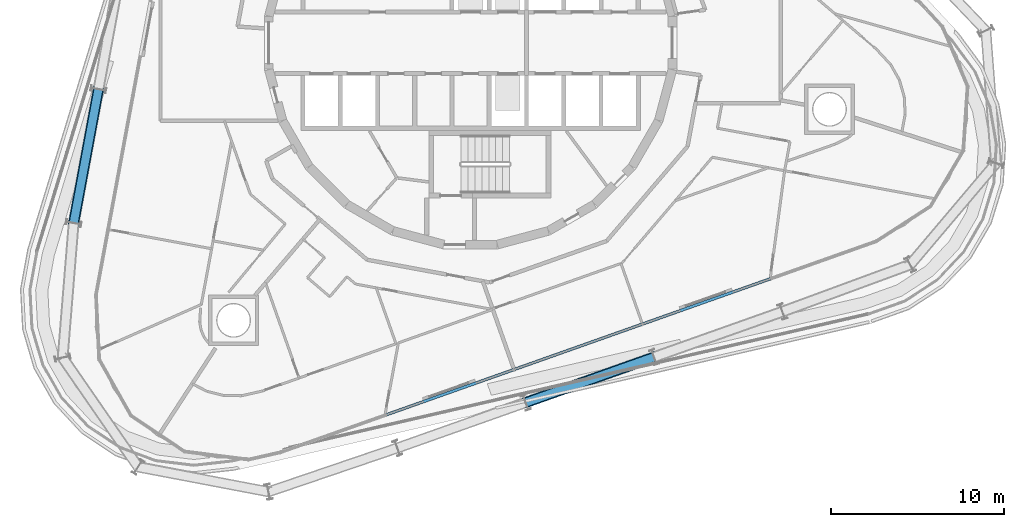
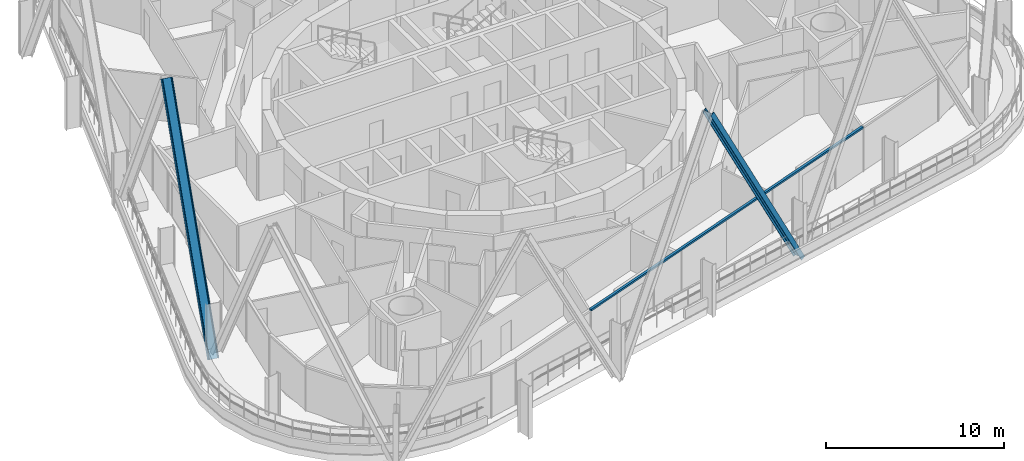
# One storey, part 3 of 25: 3 members, 1 element without a shape of its own.
"""IFC4 building model written with IfcOpenShell, lengths in metres."""

from ifc_helpers import new_model, si_unit, direction, frame, origin, origin_2d, place, context, subcontext, project, spatial, rectangle, i_section, extrude, material, layer, layer_set, material_profile, profile_set, type_object, element, aggregate, save


model = new_model("IFC4")

# Units and contexts
model_context = context("Model", 3, precision=1e-05, world=origin(), true_north=direction((0.0, 1.0)))
body_context = subcontext(model_context, "Body", "Model", "MODEL_VIEW")
ifc_project = project(units=[si_unit("LENGTHUNIT", "METRE"), si_unit("AREAUNIT", "SQUARE_METRE"), si_unit("VOLUMEUNIT", "CUBIC_METRE"), si_unit("PLANEANGLEUNIT", "RADIAN"), si_unit("MASSUNIT", "GRAM", prefix="KILO")], contexts=[model_context])

# Site, building, storey
site_placement = place(None, origin())
site = spatial("IfcSite", under=ifc_project, at=site_placement, CompositionType="ELEMENT")
building_placement = place(site_placement, origin())
building = spatial("IfcBuilding", under=site, at=building_placement, Name="Spindle Arch Residences", CompositionType="ELEMENT")
storey_placement = place(building_placement, frame((0.0, 0.0, 151.699951171875)))
storey = spatial("IfcBuildingStorey", under=building, at=storey_placement, Name="L37", CompositionType="ELEMENT", Elevation=151.699951171875)

# Curtain wall, member
ifc_material_1 = material(Name="Aluminium bronze unitised frame with tinted glass", Category="aluminium")
ifc_layer = layer(ifc_material_1, 0.159912109375)
ifc_layer_set = layer_set([ifc_layer], Name="CW-C typical residential unitised wall")
curtain_wall_type = type_object("IfcCurtainWallType", Name="CW-C typical residential unitised wall", PredefinedType="NOTDEFINED", material=ifc_layer_set)
curtain_wall_placement = place(storey_placement, origin())
curtain_wall = element("IfcCurtainWall", 1, at=curtain_wall_placement, inside=storey, type_object=curtain_wall_type, Name="CW-C L37 run 6", PredefinedType="NOTDEFINED")
ifc_material_2 = material(Name="Aluminium bronze anodised transom", Category="aluminium")
ifc_material_profile_1 = material_profile(ifc_material_2, rectangle(XDim=0.159912109375, YDim=0.1201171875, at=origin_2d()), Name="TR 120x160")
ifc_profile_set_1 = profile_set([ifc_material_profile_1], Name="Aluminium bronze anodised transom")
member_type_1 = type_object("IfcMemberType", Name="Bronze transom 120x160", PredefinedType="USERDEFINED", material=ifc_profile_set_1)
member_placement = place(storey_placement, frame((-4.87255859375, -21.470947265625, 3.06005859375), z_axis=(0.94264008639, 0.333810825963, 0.0), x_axis=(-0.333810825963, 0.94264008639, 0.0)))
member = element("IfcMember", 2, at=member_placement, type_object=member_type_1, Name="CW-C transom 00", ObjectType="TRANSOM", PredefinedType="USERDEFINED", context=body_context, shape_type="SweptSolid", body=[
    extrude(rectangle(XDim=0.159912109375, YDim=0.1201171875, at=origin_2d()), origin(), (0.0, 0.0, 1.0), 23.520263671875),
])
aggregate(curtain_wall, [member])

# Members
ifc_material_3 = material(Name="Steel S460ML, intumescent coating R 240", Category="steel")
ifc_material_profile_2 = material_profile(ifc_material_3, i_section(OverallWidth=0.304931640625, OverallDepth=0.6201171875, WebThickness=0.02099609375, FlangeThickness=0.0400390625, FilletRadius=0.027099609375, at=origin_2d()), Name="HEM 600")
ifc_profile_set_2 = profile_set([ifc_material_profile_2], Name="Steel S460ML, intumescent coating R 240")
member_type_2 = type_object("IfcMemberType", Name="Diagrid diagonal HEM 600", PredefinedType="BRACE", material=ifc_profile_set_2)
for number, where, z_axis, x_axis, name in (
    (3, (-22.91357421875, -10.40869140625, -0.699951171875), (0.088875651224, 0.47952253954, 0.873017326685), (-0.159097197197, -0.858398121233, 0.487689191296), "Diagrid diagonal 4.1.16"),
    (4, (10.592041015625, -18.1376953125, -0.699951171875), (-0.459722691576, -0.162784369437, 0.873015633261), (0.822947502603, 0.29139956053, 0.4876922227), "Diagrid diagonal 4.1.22"),
):
    element("IfcMember", number, at=place(storey_placement, frame(where, z_axis=z_axis, x_axis=x_axis)), inside=storey, type_object=member_type_2, Name=name, PredefinedType="BRACE", context=body_context, shape_type="SweptSolid", body=[
        extrude(i_section(OverallWidth=0.304931640625, OverallDepth=0.6201171875, WebThickness=0.02099609375, FlangeThickness=0.0400390625, FilletRadius=0.027099609375, at=origin_2d()), origin(), (0.0, 0.0, 1.0), 16.11669921875),
    ])

save(model, "model.ifc")
